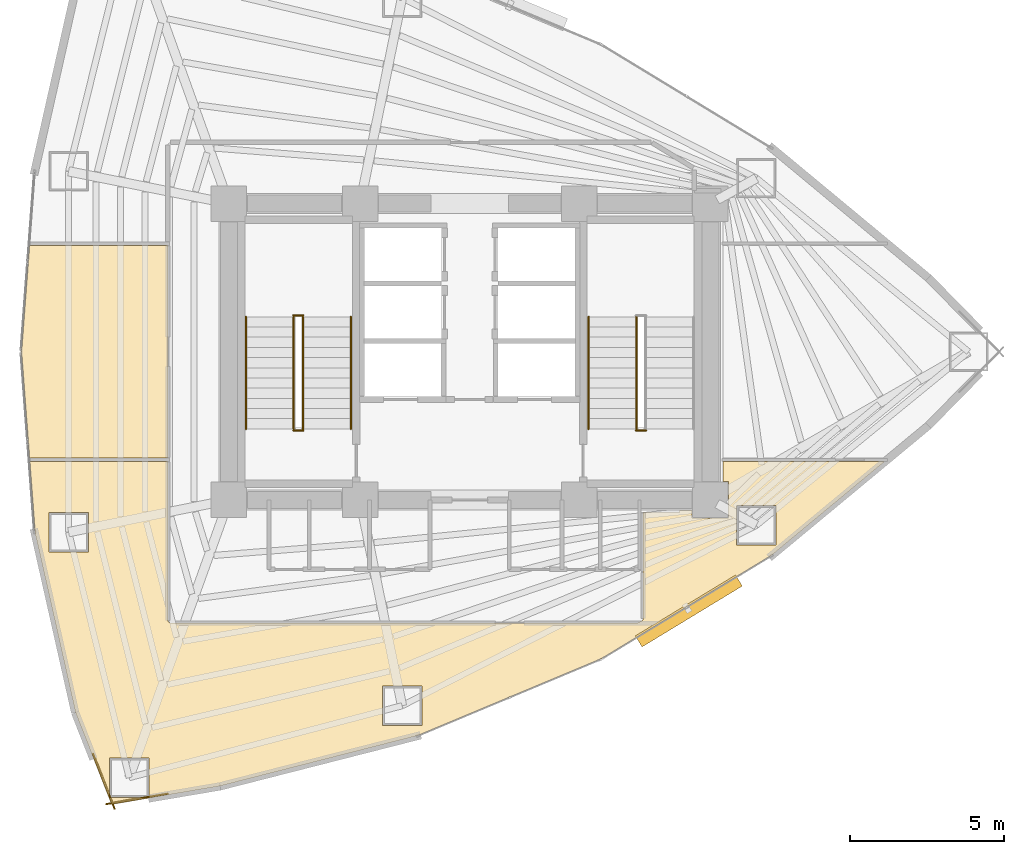
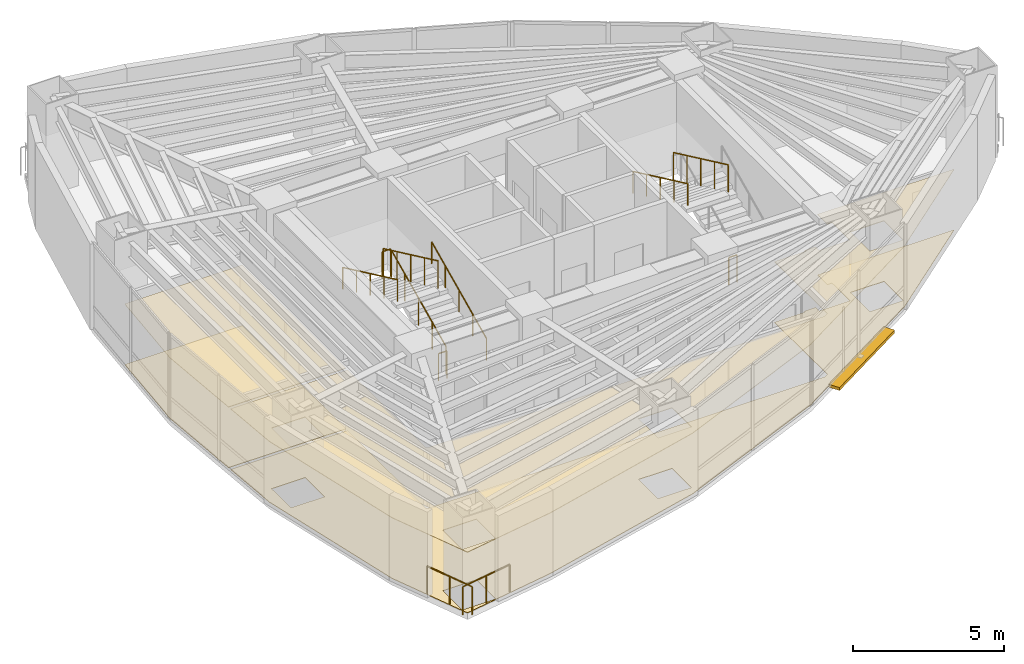
# One storey, part 17 of 18: 11 railings, 4 coverings, 1 shading device.
"""IFC4 building model written with IfcOpenShell, lengths in metres."""

import ifcopenshell
import ifcopenshell.guid

model = None  # the IFC model being written
_history = None  # IfcOwnerHistory: only IFC2X3 demands one
_inside = {}  # id of a spatial element -> (the spatial element, [elements in it])
_under = {}  # id of a project, library or spatial element -> (it, [spatial elements below it])
_declared = {}  # id of a project -> (the project, [libraries it declares])
_typed = {}  # id of a type object -> (the type object, [elements of that type])
_made_of = {}  # id of a material, layer set ... -> (it, [elements and type objects made of it])


def new_model(schema):
    """Start an empty IFC model of exactly this schema.

    Asked for "IFC4X3", IfcOpenShell would pick the latest addendum, in which some entities
    have other attributes; the version numbers below select the first issue.
    IFC2X3 requires an IfcOwnerHistory on every rooted entity: one is made here for all.
    """
    global model, _history
    if schema == "IFC4X3":
        model = ifcopenshell.file(schema_version=(4, 3, 0, 0))
    else:
        model = ifcopenshell.file(schema=schema)
    _inside.clear()
    _under.clear()
    _declared.clear()
    _typed.clear()
    _made_of.clear()
    _history = None
    if model.schema == "IFC2X3":
        org = make("IfcOrganization", Name="unknown")
        user = make(
            "IfcPersonAndOrganization",
            ThePerson=make("IfcPerson", FamilyName="unknown"),
            TheOrganization=org,
        )
        app = make(
            "IfcApplication",
            ApplicationDeveloper=org,
            Version="unknown",
            ApplicationFullName="unknown",
            ApplicationIdentifier="unknown",
        )
        _history = make(
            "IfcOwnerHistory",
            OwningUser=user,
            OwningApplication=app,
            ChangeAction="ADDED",
            CreationDate=0,
        )
    return model


def make(cls, **values):
    """One entity of the class cls with the attributes given. An attribute that is None is left unset."""
    return model.create_entity(
        cls, **{name: value for name, value in values.items() if value is not None}
    )


def rooted(cls, **values):
    """An entity with a GlobalId (a new one), such as an element, a storey or a relation."""
    return make(cls, GlobalId=ifcopenshell.guid.new(), OwnerHistory=_history, **values)


def si_unit(unit_type, name, prefix=None):
    """IfcSIUnit, for example si_unit("LENGTHUNIT", "METRE", prefix="MILLI")."""
    return make("IfcSIUnit", UnitType=unit_type, Prefix=prefix, Name=name)


def assignment(units):
    """IfcUnitAssignment: the units of a project."""
    return None if units is None else make("IfcUnitAssignment", Units=units)


def point(xyz):
    """IfcCartesianPoint."""
    return None if xyz is None else make("IfcCartesianPoint", Coordinates=xyz)


def direction(xyz):
    """IfcDirection."""
    return None if xyz is None else make("IfcDirection", DirectionRatios=xyz)


def frame(location, z_axis=None, x_axis=None):
    """IfcAxis2Placement3D, a coordinate frame: its origin and axes. An axis left out is left unset."""
    return make(
        "IfcAxis2Placement3D",
        Location=point(location),
        Axis=direction(z_axis),
        RefDirection=direction(x_axis),
    )


def frame_2d(location, x_axis=None):
    """IfcAxis2Placement2D, a coordinate frame in the plane: its origin and x axis."""
    return make(
        "IfcAxis2Placement2D", Location=point(location), RefDirection=direction(x_axis)
    )


def origin():
    """The frame at (0, 0, 0) with its axes left unset."""
    return frame((0.0, 0.0, 0.0))


def origin_2d():
    """The frame at (0, 0) in the plane with its x axis left unset."""
    return frame_2d((0.0, 0.0))


def place(relative_to, where):
    """IfcLocalPlacement: puts the frame where relative to a parent placement (None: the world)."""
    return make(
        "IfcLocalPlacement", PlacementRelTo=relative_to, RelativePlacement=where
    )


def context(
    kind, dimensions, precision=None, world=None, true_north=None, identifier=None
):
    """IfcGeometricRepresentationContext, for example the 3D "Model" context."""
    return make(
        "IfcGeometricRepresentationContext",
        ContextIdentifier=identifier,
        ContextType=kind,
        CoordinateSpaceDimension=dimensions,
        Precision=precision,
        WorldCoordinateSystem=world,
        TrueNorth=true_north,
    )


def subcontext(parent, identifier, kind, view, scale=None):
    """IfcGeometricRepresentationSubContext, for example "Body" below "Model"."""
    return make(
        "IfcGeometricRepresentationSubContext",
        ContextIdentifier=identifier,
        ContextType=kind,
        ParentContext=parent,
        TargetScale=scale,
        TargetView=view,
    )


def project(units=None, contexts=None):
    """IfcProject with its units and contexts."""
    return rooted(
        "IfcProject",
        Name="project",
        RepresentationContexts=contexts,
        UnitsInContext=assignment(units),
    )


def spatial(cls, under=None, at=None, **own):
    """A site, building, storey or space (cls), placed at a placement, below another one or the project."""
    s = rooted(cls, ObjectPlacement=at, **own)
    if under is not None:
        _under.setdefault(under.id(), (under, []))[1].append(s)
    return s


def polyline(points):
    """IfcPolyline through the points."""
    return make("IfcPolyline", Points=[point(p) for p in points])


def profile(cls, at=None, kind="AREA", **sizes):
    """A parametric profile (cls). Its sizes go by their IFC names, for example OverallWidth=200.0."""
    return make(cls, ProfileType=kind, Position=at, **sizes)


def rectangle(**sizes):
    """IfcRectangleProfileDef."""
    return profile("IfcRectangleProfileDef", **sizes)


def circle(**sizes):
    """IfcCircleProfileDef."""
    return profile("IfcCircleProfileDef", **sizes)


def outline(outer, holes=None, kind="AREA"):
    """IfcArbitraryClosedProfileDef: a profile drawn as a closed curve; with holes, ...WithVoids."""
    if holes is None:
        return make("IfcArbitraryClosedProfileDef", ProfileType=kind, OuterCurve=outer)
    return make(
        "IfcArbitraryProfileDefWithVoids",
        ProfileType=kind,
        OuterCurve=outer,
        InnerCurves=holes,
    )


def extrude(swept, where, along, depth):
    """IfcExtrudedAreaSolid: the profile swept, set in the frame where, extruded along a direction by depth."""
    return make(
        "IfcExtrudedAreaSolid",
        SweptArea=swept,
        Position=where,
        ExtrudedDirection=direction(along),
        Depth=depth,
    )


def shape(context_of_items, identifier, shape_type, items):
    """IfcShapeRepresentation: the items that make up one representation, for example the "Body"."""
    return make(
        "IfcShapeRepresentation",
        ContextOfItems=context_of_items,
        RepresentationIdentifier=identifier,
        RepresentationType=shape_type,
        Items=items,
    )


def material(Name=None, Category=None):
    """IfcMaterial."""
    return make("IfcMaterial", Name=Name, Category=Category)


def layer(
    of_material, thickness, ventilated=None, Name=None, Category=None, Priority=None
):
    """IfcMaterialLayer: one layer of a wall or slab, of a material (None: an air gap)."""
    return make(
        "IfcMaterialLayer",
        Material=of_material,
        LayerThickness=thickness,
        IsVentilated=ventilated,
        Name=Name,
        Category=Category,
        Priority=Priority,
    )


def layer_set(layers, Name=None):
    """IfcMaterialLayerSet."""
    return make("IfcMaterialLayerSet", MaterialLayers=layers, LayerSetName=Name)


def made_of(thing, what):
    """Note that an element or type object is made of a material, layer set ...; save() writes the relation."""
    if what is not None:
        _made_of.setdefault(what.id(), (what, []))[1].append(thing)
    return thing


def type_object(cls, material=None, **own):
    """A type object (cls), such as IfcWallType, which elements share."""
    return made_of(rooted(cls, **own), material)


def element(
    cls,
    number,
    at=None,
    inside=None,
    cuts=None,
    type_object=None,
    material=None,
    context=None,
    identifier="Body",
    shape_type=None,
    held_by="IfcProductDefinitionShape",
    body=None,
    shapes=None,
    **own,
):
    """One element of the class cls, such as IfcWall. Its Tag is "e" and its number.

    at: its placement. inside: the storey or other place that contains it. cuts: it is an
    opening in that element (IfcRelVoidsElement). A single representation is given by context,
    identifier, shape_type and body (its items); several are given by shapes. held_by: the class
    of the entity that holds the representations. save() writes the other relations.
    """
    e = rooted(cls, Tag="e%d" % number, ObjectPlacement=at, **own)
    if body is not None:
        shapes = [shape(context, identifier, shape_type, body)]
    if shapes is not None:
        e.Representation = make(held_by, Representations=shapes)
    if inside is not None:
        _inside.setdefault(inside.id(), (inside, []))[1].append(e)
    if cuts is not None:
        rooted(
            "IfcRelVoidsElement", RelatingBuildingElement=cuts, RelatedOpeningElement=e
        )
    if type_object is not None:
        _typed.setdefault(type_object.id(), (type_object, []))[1].append(e)
    return made_of(e, material)


def aggregate(whole, parts):
    """IfcRelAggregates: a whole, such as a stair, and the parts it consists of."""
    return rooted("IfcRelAggregates", RelatingObject=whole, RelatedObjects=parts)


def save(model, path):
    """Write the relations noted so far, then the file.

    IfcRelAggregates (storeys below a building ...), IfcRelContainedInSpatialStructure (elements
    in a storey), IfcRelDefinesByType, IfcRelAssociatesMaterial and IfcRelDeclares: one each for
    every whole, place, type object, material and project.
    """
    for whole, parts in _under.values():
        aggregate(whole, parts)
    for where, things in _inside.values():
        rooted(
            "IfcRelContainedInSpatialStructure",
            RelatedElements=things,
            RelatingStructure=where,
        )
    for kind, things in _typed.values():
        rooted("IfcRelDefinesByType", RelatedObjects=things, RelatingType=kind)
    for what, things in _made_of.values():
        rooted("IfcRelAssociatesMaterial", RelatedObjects=things, RelatingMaterial=what)
    for by, libraries in _declared.values():
        rooted("IfcRelDeclares", RelatingContext=by, RelatedDefinitions=libraries)
    model.write(path)


model = new_model("IFC4")

# Units and contexts
model_context = context("Model", 3, precision=1e-05, world=origin(), true_north=direction((0.0, 1.0)))
body_context = subcontext(model_context, "Body", "Model", "MODEL_VIEW")
ifc_project = project(units=[si_unit("LENGTHUNIT", "METRE"), si_unit("AREAUNIT", "SQUARE_METRE"), si_unit("VOLUMEUNIT", "CUBIC_METRE"), si_unit("PLANEANGLEUNIT", "RADIAN"), si_unit("MASSUNIT", "GRAM", prefix="KILO")], contexts=[model_context])

# Site, building, storey
site_placement = place(None, origin())
site = spatial("IfcSite", under=ifc_project, at=site_placement, CompositionType="ELEMENT")
building_placement = place(site_placement, origin())
building = spatial("IfcBuilding", under=site, at=building_placement, Name="Menara Vayukalpa", CompositionType="ELEMENT")
storey_placement = place(building_placement, frame((0.0, 0.0, 89.10009765625)))
storey = spatial("IfcBuildingStorey", under=building, at=storey_placement, Name="L21", CompositionType="ELEMENT", Elevation=89.10009765625)

# Coverings
ifc_material_1 = material(Name="Mineral Fibre Acoustic Ceiling Tile", Category="masonry")
ifc_layer_1 = layer(ifc_material_1, 0.02490234375)
ifc_layer_set_1 = layer_set([ifc_layer_1], Name="Mineral Fibre Acoustic Ceiling Tile")
covering_type_1 = type_object("IfcCoveringType", Name="COV-CLG1", PredefinedType="CEILING", material=ifc_layer_set_1)
covering_1_placement = place(storey_placement, frame((0.0, 0.0, 2.449951171875)))
element("IfcCovering", 1, at=covering_1_placement, inside=storey, type_object=covering_type_1, Name="L21 Digital Engineering Lab Acoustic Ceiling", PredefinedType="CEILING", context=body_context, shape_type="SweptSolid", body=[
    extrude(outline(polyline([(23.903564453125, 9.561767578125), (17.5087890625, 7.930908203125), (17.5078125, 7.9306640625), (14.00830078125, 7.33642578125), (14.00732421875, 7.33642578125), (14.00634765625, 7.33642578125), (14.005615234375, 7.33642578125), (14.00439453125, 7.336669921875), (14.003662109375, 7.3369140625), (14.002685546875, 7.33740234375), (14.001708984375, 7.337646484375), (14.0009765625, 7.338134765625), (14.000244140625, 7.3388671875), (13.99951171875, 7.339599609375), (13.998779296875, 7.340087890625), (13.998291015625, 7.341064453125), (13.997802734375, 7.341796875), (13.997314453125, 7.3427734375), (12.831787109375, 10.310791015625), (12.83154296875, 10.3115234375), (12.831298828125, 10.312255859375), (11.5166015625, 16.155029296875), (11.516357421875, 16.156494140625), (11.345947265625, 18.42919921875), (11.345947265625, 18.43017578125), (11.34619140625, 18.43115234375), (11.34619140625, 18.43212890625), (11.346435546875, 18.43310546875), (11.3466796875, 18.43408203125), (11.347412109375, 18.434814453125), (11.347900390625, 18.435791015625), (11.348388671875, 18.436279296875), (11.34912109375, 18.43701171875), (11.349609375, 18.437744140625), (11.3505859375, 18.4384765625), (11.351318359375, 18.43896484375), (11.352294921875, 18.439208984375), (11.35302734375, 18.439697265625), (11.35400390625, 18.439697265625), (11.35498046875, 18.43994140625), (11.35595703125, 18.43994140625), (15.820068359375, 18.43994140625), (15.821044921875, 18.43994140625), (15.822021484375, 18.439697265625), (15.822998046875, 18.439697265625), (15.82373046875, 18.439208984375), (15.82470703125, 18.438720703125), (15.82568359375, 18.438232421875), (15.826416015625, 18.437744140625), (15.8271484375, 18.43701171875), (15.82763671875, 18.436279296875), (15.828369140625, 18.435546875), (15.828857421875, 18.434814453125), (15.8291015625, 18.433837890625), (15.82958984375, 18.432861328125), (15.829833984375, 18.431884765625), (15.830078125, 18.430908203125), (15.830078125, 18.429931640625), (15.830078125, 13.290283203125), (15.830322265625, 13.283203125), (15.831298828125, 13.2763671875), (15.8330078125, 13.269775390625), (15.835205078125, 13.26318359375), (15.838134765625, 13.257080078125), (15.841796875, 13.251220703125), (15.845947265625, 13.24560546875), (15.8505859375, 13.240478515625), (15.85546875, 13.236083984375), (15.861083984375, 13.231689453125), (15.866943359375, 13.228271484375), (15.873291015625, 13.225341796875), (15.879638671875, 13.222900390625), (15.88623046875, 13.22119140625), (15.893310546875, 13.220458984375), (15.900390625, 13.219970703125), (31.048828125, 13.219970703125), (31.055419921875, 13.22021484375), (31.0615234375, 13.22119140625), (31.06787109375, 13.22265625), (31.073974609375, 13.224609375), (31.079833984375, 13.22705078125), (31.085693359375, 13.230224609375), (31.186279296875, 13.29150390625), (31.192138671875, 13.295654296875), (31.19775390625, 13.30029296875), (31.202880859375, 13.305419921875), (31.207275390625, 13.31103515625), (31.2109375, 13.317138671875), (31.214111328125, 13.323486328125), (31.216796875, 13.330078125), (31.218505859375, 13.337158203125), (31.219482421875, 13.34423828125), (31.219970703125, 13.3515625), (31.219970703125, 14.849609375), (31.219482421875, 14.856689453125), (31.21875, 14.86376953125), (31.217041015625, 14.870361328125), (31.214599609375, 14.876708984375), (31.2119140625, 14.8828125), (31.211669921875, 14.883056640625), (31.211181640625, 14.8837890625), (31.210693359375, 14.884765625), (31.21044921875, 14.8857421875), (31.210205078125, 14.88671875), (31.2099609375, 14.8876953125), (31.2099609375, 14.888671875), (31.2099609375, 16.780029296875), (31.2099609375, 16.781005859375), (31.210205078125, 16.781982421875), (31.21044921875, 16.782958984375), (31.210693359375, 16.78369140625), (31.211181640625, 16.78466796875), (31.211669921875, 16.78564453125), (31.21240234375, 16.786376953125), (31.212890625, 16.787109375), (31.213623046875, 16.78759765625), (31.21435546875, 16.788330078125), (31.21533203125, 16.788818359375), (31.21630859375, 16.789306640625), (31.217041015625, 16.78955078125), (31.218017578125, 16.789794921875), (31.218994140625, 16.7900390625), (31.219970703125, 16.7900390625), (32.389892578125, 16.7900390625), (32.389892578125, 16.85009765625), (32.81005859375, 16.85009765625), (32.81005859375, 16.610107421875), (33.989990234375, 16.610107421875), (33.989990234375, 17.7900390625), (33.81005859375, 17.7900390625), (33.81005859375, 18.429931640625), (33.81005859375, 18.430908203125), (33.810302734375, 18.431884765625), (33.810302734375, 18.432861328125), (33.810791015625, 18.433837890625), (33.811279296875, 18.434814453125), (33.811767578125, 18.435546875), (33.812255859375, 18.436279296875), (33.81298828125, 18.43701171875), (33.813720703125, 18.437744140625), (33.814453125, 18.438232421875), (33.815185546875, 18.438720703125), (33.816162109375, 18.439208984375), (33.817138671875, 18.439697265625), (33.818115234375, 18.439697265625), (33.819091796875, 18.43994140625), (33.820068359375, 18.43994140625), (39.0107421875, 18.43994140625), (39.01171875, 18.43994140625), (39.0126953125, 18.439697265625), (39.013671875, 18.439697265625), (39.014404296875, 18.439208984375), (39.015380859375, 18.438720703125), (39.01611328125, 18.438232421875), (39.01708984375, 18.437744140625), (39.017822265625, 18.43701171875), (39.018310546875, 18.436279296875), (39.01904296875, 18.435546875), (39.01953125, 18.434814453125), (39.02001953125, 18.433837890625), (39.020263671875, 18.432861328125), (39.0205078125, 18.431884765625), (39.0205078125, 18.430908203125), (39.020751953125, 18.429931640625), (39.020751953125, 18.42919921875), (39.0205078125, 18.427978515625), (39.020263671875, 18.427001953125), (39.02001953125, 18.42626953125), (39.01953125, 18.42529296875), (39.01904296875, 18.424560546875), (39.0185546875, 18.423583984375), (39.017822265625, 18.423095703125), (39.01708984375, 18.42236328125), (35.380859375, 15.40673828125), (35.379638671875, 15.406005859375), (29.862060546875, 12.05419921875), (29.861328125, 12.0537109375), (29.860595703125, 12.053466796875), (23.90478515625, 9.562255859375), (23.903564453125, 9.561767578125)]), holes=[polyline([(15.208984375, 8.842529296875), (13.92919921875, 8.842529296875), (13.92919921875, 7.5625), (15.208984375, 7.5625), (15.208984375, 8.842529296875)]), polyline([(24.048095703125, 11.172607421875), (22.768310546875, 11.172607421875), (22.768310546875, 9.892578125), (24.048095703125, 9.892578125), (24.048095703125, 11.172607421875)]), polyline([(13.24658203125, 16.794189453125), (11.966552734375, 16.794189453125), (11.966552734375, 15.514404296875), (13.24658203125, 15.514404296875), (13.24658203125, 16.794189453125)]), polyline([(35.52685546875, 17.018310546875), (34.246826171875, 17.018310546875), (34.246826171875, 15.73828125), (35.52685546875, 15.73828125), (35.52685546875, 17.018310546875)])]), origin(), (0.0, 0.0, 1.0), 0.02490234375),
])
covering_2_placement = place(storey_placement, frame((0.0, 0.0, 2.449951171875)))
element("IfcCovering", 2, at=covering_2_placement, inside=storey, type_object=covering_type_1, Name="L21 Staff First Aid Clinic Acoustic Ceiling", PredefinedType="CEILING", context=body_context, shape_type="SweptSolid", body=[
    extrude(outline(polyline([(11.078369140625, 22.0), (11.078369140625, 22.000732421875), (11.33544921875, 25.4306640625), (11.335693359375, 25.431640625), (11.3359375, 25.4326171875), (11.336181640625, 25.43359375), (11.336669921875, 25.4345703125), (11.337158203125, 25.435302734375), (11.337646484375, 25.436279296875), (11.33837890625, 25.43701171875), (11.339111328125, 25.437744140625), (11.33984375, 25.438232421875), (11.3408203125, 25.438720703125), (11.341552734375, 25.439208984375), (11.342529296875, 25.439697265625), (11.343505859375, 25.439697265625), (11.344482421875, 25.43994140625), (11.345458984375, 25.43994140625), (15.820068359375, 25.43994140625), (15.821044921875, 25.43994140625), (15.822021484375, 25.439697265625), (15.822998046875, 25.439697265625), (15.82373046875, 25.439208984375), (15.82470703125, 25.438720703125), (15.82568359375, 25.438232421875), (15.826416015625, 25.437744140625), (15.8271484375, 25.43701171875), (15.82763671875, 25.436279296875), (15.828369140625, 25.435546875), (15.828857421875, 25.434814453125), (15.8291015625, 25.433837890625), (15.82958984375, 25.432861328125), (15.829833984375, 25.431884765625), (15.830078125, 25.430908203125), (15.830078125, 25.429931640625), (15.830078125, 18.570068359375), (15.830078125, 18.569091796875), (15.829833984375, 18.568115234375), (15.82958984375, 18.567138671875), (15.8291015625, 18.566162109375), (15.828857421875, 18.565185546875), (15.828369140625, 18.564453125), (15.82763671875, 18.563720703125), (15.8271484375, 18.56298828125), (15.826416015625, 18.562255859375), (15.82568359375, 18.561767578125), (15.82470703125, 18.561279296875), (15.82373046875, 18.560791015625), (15.822998046875, 18.560302734375), (15.822021484375, 18.560302734375), (15.821044921875, 18.56005859375), (15.820068359375, 18.56005859375), (11.345458984375, 18.56005859375), (11.344482421875, 18.56005859375), (11.343505859375, 18.560302734375), (11.342529296875, 18.560302734375), (11.341552734375, 18.560791015625), (11.3408203125, 18.561279296875), (11.33984375, 18.561767578125), (11.339111328125, 18.562255859375), (11.33837890625, 18.56298828125), (11.337646484375, 18.563720703125), (11.337158203125, 18.564697265625), (11.336669921875, 18.5654296875), (11.336181640625, 18.56640625), (11.3359375, 18.5673828125), (11.335693359375, 18.568359375), (11.33544921875, 18.5693359375), (11.078369140625, 21.999267578125), (11.078369140625, 22.0)])), origin(), (0.0, 0.0, 1.0), 0.02490234375),
])
ifc_material_2 = material(Name="Porcelain Stoneware Floor Tile", Category="masonry")
ifc_layer_2 = layer(ifc_material_2, 0.02001953125)
ifc_layer_set_2 = layer_set([ifc_layer_2], Name="Porcelain Stoneware Floor Tile")
covering_type_2 = type_object("IfcCoveringType", Name="COV-FLR1", PredefinedType="FLOORING", material=ifc_layer_set_2)
covering_3_placement = place(storey_placement, origin())
element("IfcCovering", 3, at=covering_3_placement, inside=storey, type_object=covering_type_2, Name="L21 Digital Engineering Lab Porcelain Flooring", PredefinedType="FLOORING", context=body_context, shape_type="SweptSolid", body=[
    extrude(outline(polyline([(23.903564453125, 9.561767578125), (17.5087890625, 7.930908203125), (17.5078125, 7.9306640625), (14.00830078125, 7.33642578125), (14.00732421875, 7.33642578125), (14.00634765625, 7.33642578125), (14.005615234375, 7.33642578125), (14.00439453125, 7.336669921875), (14.003662109375, 7.3369140625), (14.002685546875, 7.33740234375), (14.001708984375, 7.337646484375), (14.0009765625, 7.338134765625), (14.000244140625, 7.3388671875), (13.99951171875, 7.339599609375), (13.998779296875, 7.340087890625), (13.998291015625, 7.341064453125), (13.997802734375, 7.341796875), (13.997314453125, 7.3427734375), (12.831787109375, 10.310791015625), (12.83154296875, 10.3115234375), (12.831298828125, 10.312255859375), (11.5166015625, 16.155029296875), (11.516357421875, 16.156494140625), (11.345947265625, 18.42919921875), (11.345947265625, 18.43017578125), (11.34619140625, 18.43115234375), (11.34619140625, 18.43212890625), (11.346435546875, 18.43310546875), (11.3466796875, 18.43408203125), (11.347412109375, 18.434814453125), (11.347900390625, 18.435791015625), (11.348388671875, 18.436279296875), (11.34912109375, 18.43701171875), (11.349609375, 18.437744140625), (11.3505859375, 18.4384765625), (11.351318359375, 18.43896484375), (11.352294921875, 18.439208984375), (11.35302734375, 18.439697265625), (11.35400390625, 18.439697265625), (11.35498046875, 18.43994140625), (11.35595703125, 18.43994140625), (15.820068359375, 18.43994140625), (15.821044921875, 18.43994140625), (15.822021484375, 18.439697265625), (15.822998046875, 18.439697265625), (15.82373046875, 18.439208984375), (15.82470703125, 18.438720703125), (15.82568359375, 18.438232421875), (15.826416015625, 18.437744140625), (15.8271484375, 18.43701171875), (15.82763671875, 18.436279296875), (15.828369140625, 18.435546875), (15.828857421875, 18.434814453125), (15.8291015625, 18.433837890625), (15.82958984375, 18.432861328125), (15.829833984375, 18.431884765625), (15.830078125, 18.430908203125), (15.830078125, 18.429931640625), (15.830078125, 13.290283203125), (15.830322265625, 13.283203125), (15.831298828125, 13.2763671875), (15.8330078125, 13.269775390625), (15.835205078125, 13.26318359375), (15.838134765625, 13.257080078125), (15.841796875, 13.251220703125), (15.845947265625, 13.24560546875), (15.8505859375, 13.240478515625), (15.85546875, 13.236083984375), (15.861083984375, 13.231689453125), (15.866943359375, 13.228271484375), (15.873291015625, 13.225341796875), (15.879638671875, 13.222900390625), (15.88623046875, 13.22119140625), (15.893310546875, 13.220458984375), (15.900390625, 13.219970703125), (31.048828125, 13.219970703125), (31.055419921875, 13.22021484375), (31.0615234375, 13.22119140625), (31.06787109375, 13.22265625), (31.073974609375, 13.224609375), (31.079833984375, 13.22705078125), (31.085693359375, 13.230224609375), (31.186279296875, 13.29150390625), (31.192138671875, 13.295654296875), (31.19775390625, 13.30029296875), (31.202880859375, 13.305419921875), (31.207275390625, 13.31103515625), (31.2109375, 13.317138671875), (31.214111328125, 13.323486328125), (31.216796875, 13.330078125), (31.218505859375, 13.337158203125), (31.219482421875, 13.34423828125), (31.219970703125, 13.3515625), (31.219970703125, 14.849609375), (31.219482421875, 14.856689453125), (31.21875, 14.86376953125), (31.217041015625, 14.870361328125), (31.214599609375, 14.876708984375), (31.2119140625, 14.8828125), (31.211669921875, 14.883056640625), (31.211181640625, 14.8837890625), (31.210693359375, 14.884765625), (31.21044921875, 14.8857421875), (31.210205078125, 14.88671875), (31.2099609375, 14.8876953125), (31.2099609375, 14.888671875), (31.2099609375, 16.780029296875), (31.2099609375, 16.781005859375), (31.210205078125, 16.781982421875), (31.21044921875, 16.782958984375), (31.210693359375, 16.78369140625), (31.211181640625, 16.78466796875), (31.211669921875, 16.78564453125), (31.21240234375, 16.786376953125), (31.212890625, 16.787109375), (31.213623046875, 16.78759765625), (31.21435546875, 16.788330078125), (31.21533203125, 16.788818359375), (31.21630859375, 16.789306640625), (31.217041015625, 16.78955078125), (31.218017578125, 16.789794921875), (31.218994140625, 16.7900390625), (31.219970703125, 16.7900390625), (32.389892578125, 16.7900390625), (32.389892578125, 16.85009765625), (32.81005859375, 16.85009765625), (32.81005859375, 16.610107421875), (33.989990234375, 16.610107421875), (33.989990234375, 17.7900390625), (33.81005859375, 17.7900390625), (33.81005859375, 18.429931640625), (33.81005859375, 18.430908203125), (33.810302734375, 18.431884765625), (33.810302734375, 18.432861328125), (33.810791015625, 18.433837890625), (33.811279296875, 18.434814453125), (33.811767578125, 18.435546875), (33.812255859375, 18.436279296875), (33.81298828125, 18.43701171875), (33.813720703125, 18.437744140625), (33.814453125, 18.438232421875), (33.815185546875, 18.438720703125), (33.816162109375, 18.439208984375), (33.817138671875, 18.439697265625), (33.818115234375, 18.439697265625), (33.819091796875, 18.43994140625), (33.820068359375, 18.43994140625), (39.0107421875, 18.43994140625), (39.01171875, 18.43994140625), (39.0126953125, 18.439697265625), (39.013671875, 18.439697265625), (39.014404296875, 18.439208984375), (39.015380859375, 18.438720703125), (39.01611328125, 18.438232421875), (39.01708984375, 18.437744140625), (39.017822265625, 18.43701171875), (39.018310546875, 18.436279296875), (39.01904296875, 18.435546875), (39.01953125, 18.434814453125), (39.02001953125, 18.433837890625), (39.020263671875, 18.432861328125), (39.0205078125, 18.431884765625), (39.0205078125, 18.430908203125), (39.020751953125, 18.429931640625), (39.020751953125, 18.42919921875), (39.0205078125, 18.427978515625), (39.020263671875, 18.427001953125), (39.02001953125, 18.42626953125), (39.01953125, 18.42529296875), (39.01904296875, 18.424560546875), (39.0185546875, 18.423583984375), (39.017822265625, 18.423095703125), (39.01708984375, 18.42236328125), (35.380859375, 15.40673828125), (35.379638671875, 15.406005859375), (29.862060546875, 12.05419921875), (29.861328125, 12.0537109375), (29.860595703125, 12.053466796875), (23.90478515625, 9.562255859375), (23.903564453125, 9.561767578125)]), holes=[polyline([(15.208984375, 8.842529296875), (13.92919921875, 8.842529296875), (13.92919921875, 7.5625), (15.208984375, 7.5625), (15.208984375, 8.842529296875)]), polyline([(24.048095703125, 11.172607421875), (22.768310546875, 11.172607421875), (22.768310546875, 9.892578125), (24.048095703125, 9.892578125), (24.048095703125, 11.172607421875)]), polyline([(13.24658203125, 16.794189453125), (11.966552734375, 16.794189453125), (11.966552734375, 15.514404296875), (13.24658203125, 15.514404296875), (13.24658203125, 16.794189453125)]), polyline([(35.52685546875, 17.018310546875), (34.246826171875, 17.018310546875), (34.246826171875, 15.73828125), (35.52685546875, 15.73828125), (35.52685546875, 17.018310546875)])]), origin(), (0.0, 0.0, 1.0), 0.02001953125),
])
covering_4_placement = place(storey_placement, origin())
element("IfcCovering", 4, at=covering_4_placement, inside=storey, type_object=covering_type_2, Name="L21 Staff First Aid Clinic Porcelain Flooring", PredefinedType="FLOORING", context=body_context, shape_type="SweptSolid", body=[
    extrude(outline(polyline([(11.078369140625, 22.0), (11.078369140625, 22.000732421875), (11.33544921875, 25.4306640625), (11.335693359375, 25.431640625), (11.3359375, 25.4326171875), (11.336181640625, 25.43359375), (11.336669921875, 25.4345703125), (11.337158203125, 25.435302734375), (11.337646484375, 25.436279296875), (11.33837890625, 25.43701171875), (11.339111328125, 25.437744140625), (11.33984375, 25.438232421875), (11.3408203125, 25.438720703125), (11.341552734375, 25.439208984375), (11.342529296875, 25.439697265625), (11.343505859375, 25.439697265625), (11.344482421875, 25.43994140625), (11.345458984375, 25.43994140625), (15.820068359375, 25.43994140625), (15.821044921875, 25.43994140625), (15.822021484375, 25.439697265625), (15.822998046875, 25.439697265625), (15.82373046875, 25.439208984375), (15.82470703125, 25.438720703125), (15.82568359375, 25.438232421875), (15.826416015625, 25.437744140625), (15.8271484375, 25.43701171875), (15.82763671875, 25.436279296875), (15.828369140625, 25.435546875), (15.828857421875, 25.434814453125), (15.8291015625, 25.433837890625), (15.82958984375, 25.432861328125), (15.829833984375, 25.431884765625), (15.830078125, 25.430908203125), (15.830078125, 25.429931640625), (15.830078125, 18.570068359375), (15.830078125, 18.569091796875), (15.829833984375, 18.568115234375), (15.82958984375, 18.567138671875), (15.8291015625, 18.566162109375), (15.828857421875, 18.565185546875), (15.828369140625, 18.564453125), (15.82763671875, 18.563720703125), (15.8271484375, 18.56298828125), (15.826416015625, 18.562255859375), (15.82568359375, 18.561767578125), (15.82470703125, 18.561279296875), (15.82373046875, 18.560791015625), (15.822998046875, 18.560302734375), (15.822021484375, 18.560302734375), (15.821044921875, 18.56005859375), (15.820068359375, 18.56005859375), (11.345458984375, 18.56005859375), (11.344482421875, 18.56005859375), (11.343505859375, 18.560302734375), (11.342529296875, 18.560302734375), (11.341552734375, 18.560791015625), (11.3408203125, 18.561279296875), (11.33984375, 18.561767578125), (11.339111328125, 18.562255859375), (11.33837890625, 18.56298828125), (11.337646484375, 18.563720703125), (11.337158203125, 18.564697265625), (11.336669921875, 18.5654296875), (11.336181640625, 18.56640625), (11.3359375, 18.5673828125), (11.335693359375, 18.568359375), (11.33544921875, 18.5693359375), (11.078369140625, 21.999267578125), (11.078369140625, 22.0)])), origin(), (0.0, 0.0, 1.0), 0.02001953125),
])

# Railings
ifc_material_3 = material(Name="Laminated Glass and Stainless Steel 316 Guardrail", Category="steel")
railing_type_1 = type_object("IfcRailingType", Name="RLG-EXT115", PredefinedType="GUARDRAIL", material=ifc_material_3)
railing_1_placement = place(storey_placement, frame((13.39990234375, 8.9736328125, 0.0)))
element("IfcRailing", 5, at=railing_1_placement, inside=storey, type_object=railing_type_1, Name="L21 Column Corner Spandrel Guardrail 13-1", PredefinedType="GUARDRAIL", context=body_context, shape_type="SweptSolid", body=[
    extrude(circle(Radius=0.02392578125, at=origin_2d()), frame((0.0, 0.0, 1.1259765625), z_axis=(0.365573386764, -0.930782519652, 0.0), x_axis=(0.930782519652, 0.365573386764, 0.0)), (0.0, 0.0, 1.0), 1.91259765625),
    extrude(circle(Radius=0.02099609375, at=origin_2d()), origin(), (0.0, 0.0, 1.0), 1.101806640625),
    extrude(circle(Radius=0.02099609375, at=origin_2d()), frame((0.349609375, -0.89013671875, 0.0)), (0.0, 0.0, 1.0), 1.101806640625),
    extrude(circle(Radius=0.02099609375, at=origin_2d()), frame((0.69921875, -1.7802734375, 0.0)), (0.0, 0.0, 1.0), 1.101806640625),
])
railing_2_placement = place(storey_placement, frame((13.827880859375, 7.346435546875, 0.0)))
element("IfcRailing", 6, at=railing_2_placement, inside=storey, type_object=railing_type_1, Name="L21 Column Corner Spandrel Guardrail 14-1", PredefinedType="GUARDRAIL", context=body_context, shape_type="SweptSolid", body=[
    extrude(circle(Radius=0.02392578125, at=origin_2d()), frame((0.0, 0.0, 1.1259765625), z_axis=(0.985895977605, 0.16735925831, 0.0), x_axis=(-0.16735925831, 0.985895977605, 0.0)), (0.0, 0.0, 1.0), 2.01904296875),
    extrude(circle(Radius=0.02099609375, at=origin_2d()), origin(), (0.0, 0.0, 1.0), 1.101806640625),
    extrude(circle(Radius=0.02099609375, at=origin_2d()), frame((0.9951171875, 0.1689453125, 0.0)), (0.0, 0.0, 1.0), 1.101806640625),
    extrude(circle(Radius=0.02099609375, at=origin_2d()), frame((1.990478515625, 0.337890625, 0.0)), (0.0, 0.0, 1.0), 1.101806640625),
])
ifc_material_4 = material(Name="Powder-Coated Galvanised Steel Guardrail", Category="steel")
railing_type_2 = type_object("IfcRailingType", Name="RLG-STG110", PredefinedType="GUARDRAIL", material=ifc_material_4)
railing_3_placement = place(storey_placement, frame((20.199951171875, 19.5, 0.15478515625)))
element("IfcRailing", 7, at=railing_3_placement, inside=storey, type_object=railing_type_2, Name="L21 ST-1 stair guard 1", PredefinedType="GUARDRAIL", context=body_context, shape_type="SweptSolid", body=[
    extrude(circle(Radius=0.02392578125, at=origin_2d()), frame((0.0, 0.0, 1.09619140625), z_axis=(0.0, 0.90511648382, 0.425163675209), x_axis=(-1.0, 0.0, 0.0)), (0.0, 0.0, 1.0), 4.010498046875),
    extrude(circle(Radius=0.02099609375, at=origin_2d()), origin(), (0.0, 0.0, 1.0), 1.072021484375),
    extrude(circle(Radius=0.02099609375, at=origin_2d()), frame((0.0, 0.907470703125, 0.42626953125)), (0.0, 0.0, 1.0), 1.072021484375),
    extrude(circle(Radius=0.02099609375, at=origin_2d()), frame((0.0, 1.81494140625, 0.8525390625)), (0.0, 0.0, 1.0), 1.072021484375),
    extrude(circle(Radius=0.02099609375, at=origin_2d()), frame((0.0, 2.722412109375, 1.27880859375)), (0.0, 0.0, 1.0), 1.072021484375),
    extrude(circle(Radius=0.02099609375, at=origin_2d()), frame((0.0, 3.6298828125, 1.705078125)), (0.0, 0.0, 1.0), 1.072021484375),
])
railing_4_placement = place(storey_placement, frame((20.2099609375, 23.179931640625, 1.85986328125)))
element("IfcRailing", 8, at=railing_4_placement, inside=storey, type_object=railing_type_2, Name="L21 ST-1 stair guard 2", PredefinedType="GUARDRAIL", context=body_context, shape_type="SweptSolid", body=[
    extrude(circle(Radius=0.02392578125, at=origin_2d()), frame((0.0, 0.0, 1.09619140625), z_axis=(-1.0, 0.0, 0.0), x_axis=(0.0, -1.0, 0.0)), (0.0, 0.0, 1.0), 0.320068359375),
    extrude(circle(Radius=0.02099609375, at=origin_2d()), origin(), (0.0, 0.0, 1.0), 1.072021484375),
    extrude(circle(Radius=0.02099609375, at=origin_2d()), frame((-0.320068359375, 0.0, 0.0)), (0.0, 0.0, 1.0), 1.072021484375),
])
railing_5_placement = place(storey_placement, frame((19.89990234375, 23.1298828125, 2.014892578125)))
element("IfcRailing", 9, at=railing_5_placement, inside=storey, type_object=railing_type_2, Name="L21 ST-1 stair guard 3", PredefinedType="GUARDRAIL", context=body_context, shape_type="SweptSolid", body=[
    extrude(circle(Radius=0.02392578125, at=origin_2d()), frame((0.0, 0.0, 1.09619140625), z_axis=(0.0, -0.90511648382, 0.425163675209), x_axis=(1.0, 0.0, 0.0)), (0.0, 0.0, 1.0), 4.010498046875),
    extrude(circle(Radius=0.02099609375, at=origin_2d()), origin(), (0.0, 0.0, 1.0), 1.072021484375),
    extrude(circle(Radius=0.02099609375, at=origin_2d()), frame((0.0, -0.907470703125, 0.42626953125)), (0.0, 0.0, 1.0), 1.072021484375),
    extrude(circle(Radius=0.02099609375, at=origin_2d()), frame((0.0, -1.81494140625, 0.8525390625)), (0.0, 0.0, 1.0), 1.072021484375),
    extrude(circle(Radius=0.02099609375, at=origin_2d()), frame((0.0, -2.722412109375, 1.27880859375)), (0.0, 0.0, 1.0), 1.072021484375),
    extrude(circle(Radius=0.02099609375, at=origin_2d()), frame((0.0, -3.6298828125, 1.705078125)), (0.0, 0.0, 1.0), 1.072021484375),
])
railing_6_placement = place(storey_placement, frame((20.2099609375, 19.449951171875, 0.0)))
element("IfcRailing", 10, at=railing_6_placement, inside=storey, type_object=railing_type_2, Name="L21 ST-1 stair guard 4", PredefinedType="GUARDRAIL", context=body_context, shape_type="SweptSolid", body=[
    extrude(circle(Radius=0.02392578125, at=origin_2d()), frame((0.0, 0.0, 1.09619140625), z_axis=(-1.0, 0.0, 0.0), x_axis=(0.0, -1.0, 0.0)), (0.0, 0.0, 1.0), 0.320068359375),
    extrude(circle(Radius=0.02099609375, at=origin_2d()), origin(), (0.0, 0.0, 1.0), 1.072021484375),
    extrude(circle(Radius=0.02099609375, at=origin_2d()), frame((-0.320068359375, 0.0, 0.0)), (0.0, 0.0, 1.0), 1.072021484375),
])
railing_7_placement = place(storey_placement, frame((31.0, 23.1298828125, 2.014892578125)))
element("IfcRailing", 11, at=railing_7_placement, inside=storey, type_object=railing_type_2, Name="L21 ST-2 stair guard 3", PredefinedType="GUARDRAIL", context=body_context, shape_type="SweptSolid", body=[
    extrude(circle(Radius=0.02392578125, at=origin_2d()), frame((0.0, 0.0, 1.09619140625), z_axis=(0.0, -0.90511648382, 0.425163675209), x_axis=(1.0, 0.0, 0.0)), (0.0, 0.0, 1.0), 4.010498046875),
    extrude(circle(Radius=0.02099609375, at=origin_2d()), origin(), (0.0, 0.0, 1.0), 1.072021484375),
    extrude(circle(Radius=0.02099609375, at=origin_2d()), frame((0.0, -0.907470703125, 0.42626953125)), (0.0, 0.0, 1.0), 1.072021484375),
    extrude(circle(Radius=0.02099609375, at=origin_2d()), frame((0.0, -1.81494140625, 0.8525390625)), (0.0, 0.0, 1.0), 1.072021484375),
    extrude(circle(Radius=0.02099609375, at=origin_2d()), frame((0.0, -2.722412109375, 1.27880859375)), (0.0, 0.0, 1.0), 1.072021484375),
    extrude(circle(Radius=0.02099609375, at=origin_2d()), frame((0.0, -3.6298828125, 1.705078125)), (0.0, 0.0, 1.0), 1.072021484375),
])
railing_8_placement = place(storey_placement, frame((31.31005859375, 19.449951171875, 0.0)))
element("IfcRailing", 12, at=railing_8_placement, inside=storey, type_object=railing_type_2, Name="L21 ST-2 stair guard 4", PredefinedType="GUARDRAIL", context=body_context, shape_type="SweptSolid", body=[
    extrude(circle(Radius=0.02392578125, at=origin_2d()), frame((0.0, 0.0, 1.09619140625), z_axis=(-1.0, 0.0, 0.0), x_axis=(0.0, -1.0, 0.0)), (0.0, 0.0, 1.0), 0.320068359375),
    extrude(circle(Radius=0.02099609375, at=origin_2d()), origin(), (0.0, 0.0, 1.0), 1.072021484375),
    extrude(circle(Radius=0.02099609375, at=origin_2d()), frame((-0.320068359375, 0.0, 0.0)), (0.0, 0.0, 1.0), 1.072021484375),
])
ifc_material_5 = material(Name="Stainless Steel 316 Tubular Handrail", Category="steel")
railing_type_3 = type_object("IfcRailingType", Name="RLG-STH090", PredefinedType="HANDRAIL", material=ifc_material_5)
railing_9_placement = place(storey_placement, frame((21.75, 19.5, 0.15478515625)))
element("IfcRailing", 13, at=railing_9_placement, inside=storey, type_object=railing_type_3, Name="L21 ST-1 stair handrail 1", PredefinedType="HANDRAIL", context=body_context, shape_type="SweptSolid", body=[
    extrude(circle(Radius=0.02392578125, at=origin_2d()), frame((0.0, 0.0, 0.8759765625), z_axis=(0.0, 0.90511648382, 0.425163675209), x_axis=(-1.0, 0.0, 0.0)), (0.0, 0.0, 1.0), 4.010498046875),
    extrude(circle(Radius=0.02099609375, at=origin_2d()), origin(), (0.0, 0.0, 1.0), 0.851806640625),
    extrude(circle(Radius=0.02099609375, at=origin_2d()), frame((0.0, 0.907470703125, 0.42626953125)), (0.0, 0.0, 1.0), 0.851806640625),
    extrude(circle(Radius=0.02099609375, at=origin_2d()), frame((0.0, 1.81494140625, 0.8525390625)), (0.0, 0.0, 1.0), 0.851806640625),
    extrude(circle(Radius=0.02099609375, at=origin_2d()), frame((0.0, 2.722412109375, 1.27880859375)), (0.0, 0.0, 1.0), 0.851806640625),
    extrude(circle(Radius=0.02099609375, at=origin_2d()), frame((0.0, 3.6298828125, 1.705078125)), (0.0, 0.0, 1.0), 0.851806640625),
])
for number, where, name in (
    (14, (18.35009765625, 23.1298828125, 2.014892578125), "L21 ST-1 stair handrail 2"),
    (15, (29.449951171875, 23.1298828125, 2.014892578125), "L21 ST-2 stair handrail 2"),
):
    element("IfcRailing", number, at=place(storey_placement, frame(where)), inside=storey, type_object=railing_type_3, Name=name, PredefinedType="HANDRAIL", context=body_context, shape_type="SweptSolid", body=[
        extrude(circle(Radius=0.02392578125, at=origin_2d()), frame((0.0, 0.0, 0.8759765625), z_axis=(0.0, -0.90511648382, 0.425163675209), x_axis=(1.0, 0.0, 0.0)), (0.0, 0.0, 1.0), 4.010498046875),
        extrude(circle(Radius=0.02099609375, at=origin_2d()), origin(), (0.0, 0.0, 1.0), 0.851806640625),
        extrude(circle(Radius=0.02099609375, at=origin_2d()), frame((0.0, -0.907470703125, 0.42626953125)), (0.0, 0.0, 1.0), 0.851806640625),
        extrude(circle(Radius=0.02099609375, at=origin_2d()), frame((0.0, -1.81494140625, 0.8525390625)), (0.0, 0.0, 1.0), 0.851806640625),
        extrude(circle(Radius=0.02099609375, at=origin_2d()), frame((0.0, -2.722412109375, 1.27880859375)), (0.0, 0.0, 1.0), 0.851806640625),
        extrude(circle(Radius=0.02099609375, at=origin_2d()), frame((0.0, -3.6298828125, 1.705078125)), (0.0, 0.0, 1.0), 0.851806640625),
    ])

# Shading device
ifc_material_6 = material(Name="Glazed Terracotta Ceramic Baguette Extrusion", Category="masonry")
ifc_layer_3 = layer(ifc_material_6, 0.1201171875)
ifc_layer_set_3 = layer_set([ifc_layer_3], Name="Glazed Terracotta Ceramic Baguette Extrusion")
shading_device_type = type_object("IfcShadingDeviceType", Name="SHD-SS1", PredefinedType="USERDEFINED", material=ifc_layer_set_3)
shading_device_placement = place(storey_placement, frame((32.698486328125, 13.601806640625, -0.10009765625), z_axis=(0.0, 0.0, 1.0), x_axis=(0.85466730962, 0.519176068272, 0.0)))
element("IfcShadingDevice", 16, at=shading_device_placement, inside=storey, type_object=shading_device_type, Name="L21 Horizontal Terracotta Sunshade Band 17", ObjectType="SUNSHADE", PredefinedType="USERDEFINED", context=body_context, shape_type="SweptSolid", body=[
    extrude(rectangle(XDim=3.800048828125, YDim=0.419921875, at=origin_2d()), origin(), (0.0, 0.0, 1.0), 0.1201171875),
])

save(model, "model.ifc")
